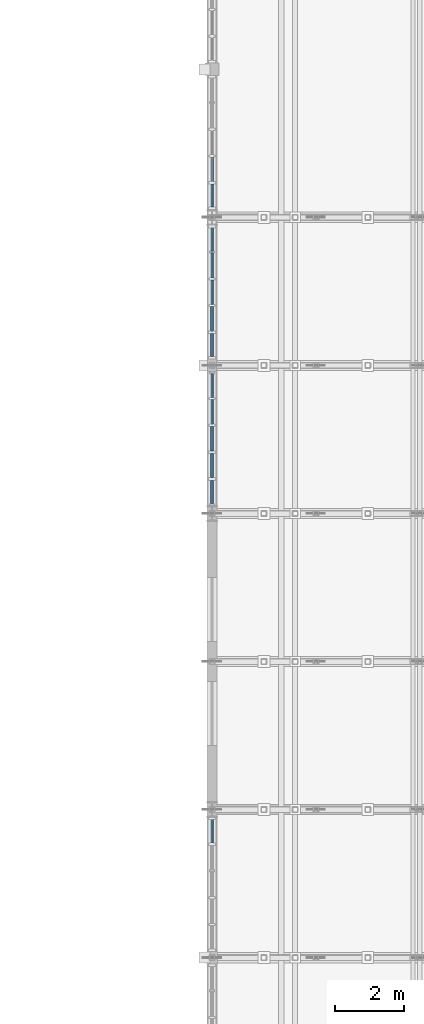
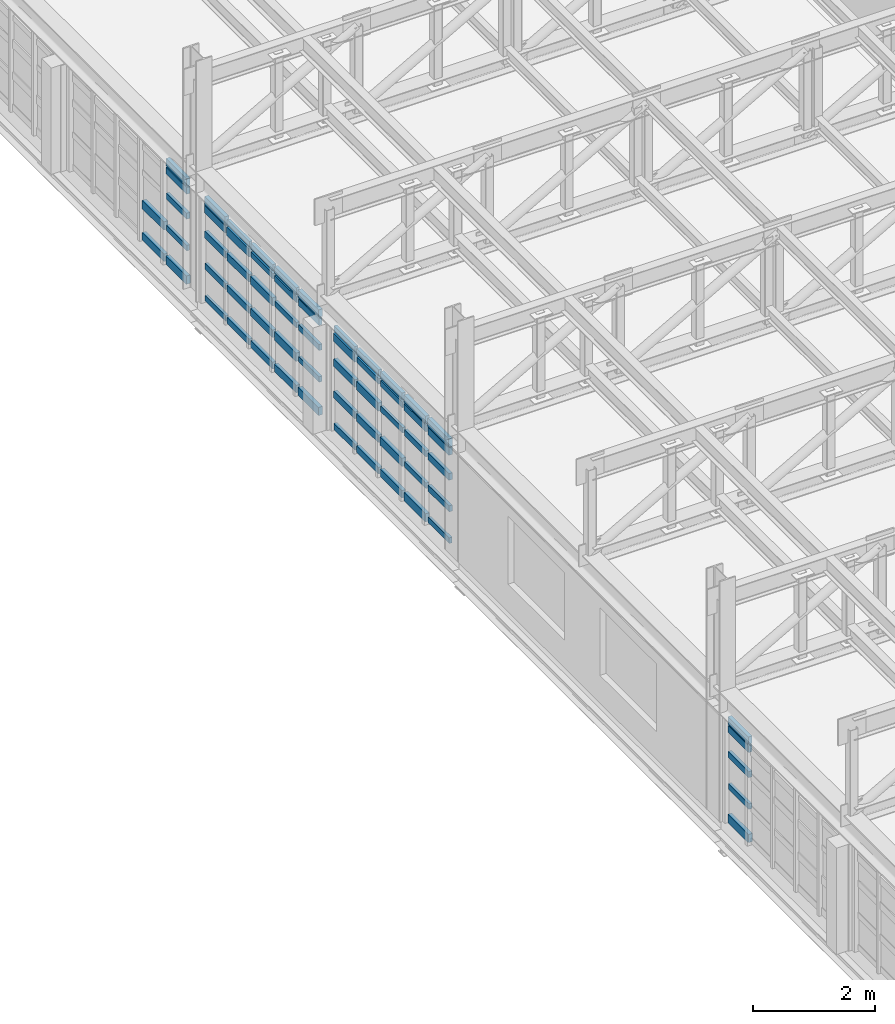
# One storey, part 77 of 128: 62 members, 4 elements without a shape of their own.
"""IFC4 building model written with IfcOpenShell, lengths in metres."""

from ifc_helpers import new_model, si_unit, direction, frame, origin, origin_2d, place, context, subcontext, project, spatial, rectangle, extrude, material, material_profile, profile_set, type_object, element, aggregate, save


model = new_model("IFC4")

# Units and contexts
model_context = context("Model", 3, precision=1e-05, world=origin(), true_north=direction((0.0, 1.0)))
body_context = subcontext(model_context, "Body", "Model", "MODEL_VIEW")
ifc_project = project(units=[si_unit("LENGTHUNIT", "METRE"), si_unit("AREAUNIT", "SQUARE_METRE"), si_unit("VOLUMEUNIT", "CUBIC_METRE"), si_unit("PLANEANGLEUNIT", "RADIAN"), si_unit("MASSUNIT", "GRAM", prefix="KILO")], contexts=[model_context])

# Site, building, storey
site_placement = place(None, origin())
site = spatial("IfcSite", under=ifc_project, at=site_placement, CompositionType="ELEMENT")
building_placement = place(site_placement, origin())
building = spatial("IfcBuilding", under=site, at=building_placement, Name="Serraforn Aerial Cableway Station", CompositionType="ELEMENT")
storey_placement = place(building_placement, frame((0.0, 0.0, 9.0)))
storey = spatial("IfcBuildingStorey", under=building, at=storey_placement, Name="L02", CompositionType="ELEMENT", Elevation=9.0)

# Curtain wall, member
ifc_material_1 = material(Name="Anodised bronze unitised curtain wall")
curtain_wall_type_1 = type_object("IfcCurtainWallType", Name="CW-SYS-25", PredefinedType="USERDEFINED", material=ifc_material_1)
curtain_wall_1_placement = place(storey_placement, origin())
curtain_wall_1 = element("IfcCurtainWall", 1, at=curtain_wall_1_placement, inside=storey, type_object=curtain_wall_type_1, Name="Unitised Curtain Wall CW-EG-L02-W3A", ObjectType="UNITISED CURTAIN WALL", PredefinedType="USERDEFINED")
ifc_material_2 = material(Name="Anodised bronze extruded aluminium", Category="aluminium")
ifc_material_profile_1 = material_profile(ifc_material_2, rectangle(XDim=0.054931640625, YDim=0.110107421875, at=origin_2d()), Name="CW TRANSOM 55x110")
ifc_profile_set_1 = profile_set([ifc_material_profile_1], Name="Anodised bronze extruded aluminium")
member_type_1 = type_object("IfcMemberType", Name="CW-TRN-1", PredefinedType="USERDEFINED", material=ifc_profile_set_1)
member_1_placement = place(storey_placement, frame((144.0, 70.958984375, 0.720703125), z_axis=(0.0, -1.0, 0.0), x_axis=(1.0, 0.0, 0.0)))
member_1 = element("IfcMember", 2, at=member_1_placement, type_object=member_type_1, Name="Curtain Wall Transom CW-EG-L02-W3A-T1-2", ObjectType="TRANSOM", PredefinedType="USERDEFINED", context=body_context, shape_type="SweptSolid", body=[
    extrude(rectangle(XDim=0.054931640625, YDim=0.110107421875, at=origin_2d()), origin(), (0.0, 0.0, 1.0), 0.6708984375),
])

# Curtain wall, members
curtain_wall_type_2 = type_object("IfcCurtainWallType", Name="CW-SYS-3", PredefinedType="USERDEFINED", material=ifc_material_1)
curtain_wall_2_placement = place(storey_placement, origin())
curtain_wall_2 = element("IfcCurtainWall", 3, at=curtain_wall_2_placement, inside=storey, type_object=curtain_wall_type_2, Name="Unitised Curtain Wall CW-EG-L02-W5A", ObjectType="UNITISED CURTAIN WALL", PredefinedType="USERDEFINED")
member_2_placement = place(storey_placement, frame((144.0, 88.053955078125, 0.084716796875), z_axis=(0.0, -1.0, 0.0), x_axis=(1.0, 0.0, 0.0)))
member_2 = element("IfcMember", 4, at=member_2_placement, type_object=member_type_1, Name="Curtain Wall Transom CW-EG-L02-W5A-T1-1", ObjectType="TRANSOM", PredefinedType="USERDEFINED", context=body_context, shape_type="SweptSolid", body=[
    extrude(rectangle(XDim=0.054931640625, YDim=0.110107421875, at=origin_2d()), origin(), (0.0, 0.0, 1.0), 0.67578125),
])
member_3_placement = place(storey_placement, frame((144.0, 87.3271484375, 2.03515625), z_axis=(0.0, -1.0, 0.0), x_axis=(1.0, 0.0, 0.0)))
member_3 = element("IfcMember", 5, at=member_3_placement, type_object=member_type_1, Name="Curtain Wall Transom CW-EG-L02-W5A-T2-5", ObjectType="TRANSOM", PredefinedType="USERDEFINED", context=body_context, shape_type="SweptSolid", body=[
    extrude(rectangle(XDim=0.054931640625, YDim=0.110107421875, at=origin_2d()), origin(), (0.0, 0.0, 1.0), 0.720947265625),
])
member_4_placement = place(storey_placement, frame((144.0, 86.55029296875, 1.865478515625), z_axis=(0.0, -1.0, 0.0), x_axis=(1.0, 0.0, 0.0)))
member_4 = element("IfcMember", 6, at=member_4_placement, type_object=member_type_1, Name="Curtain Wall Transom CW-EG-L02-W5A-T3-4", ObjectType="TRANSOM", PredefinedType="USERDEFINED", context=body_context, shape_type="SweptSolid", body=[
    extrude(rectangle(XDim=0.054931640625, YDim=0.110107421875, at=origin_2d()), origin(), (0.0, 0.0, 1.0), 0.716064453125),
])
member_5_placement = place(storey_placement, frame((144.0, 85.773193359375, 1.356689453125), z_axis=(0.0, -1.0, 0.0), x_axis=(1.0, 0.0, 0.0)))
member_5 = element("IfcMember", 7, at=member_5_placement, type_object=member_type_1, Name="Curtain Wall Transom CW-EG-L02-W5A-T4-3", ObjectType="TRANSOM", PredefinedType="USERDEFINED", context=body_context, shape_type="SweptSolid", body=[
    extrude(rectangle(XDim=0.054931640625, YDim=0.110107421875, at=origin_2d()), origin(), (0.0, 0.0, 1.0), 0.710693359375),
])
member_6_placement = place(storey_placement, frame((144.0, 84.996337890625, 0.720703125), z_axis=(0.0, -1.0, 0.0), x_axis=(1.0, 0.0, 0.0)))
member_6 = element("IfcMember", 8, at=member_6_placement, type_object=member_type_1, Name="Curtain Wall Transom CW-EG-L02-W5A-T5-2", ObjectType="TRANSOM", PredefinedType="USERDEFINED", context=body_context, shape_type="SweptSolid", body=[
    extrude(rectangle(XDim=0.054931640625, YDim=0.110107421875, at=origin_2d()), origin(), (0.0, 0.0, 1.0), 0.66845703125),
])

curtain_wall_type_3 = type_object("IfcCurtainWallType", Name="CW-SYS-4", PredefinedType="USERDEFINED", material=ifc_material_1)
curtain_wall_3_placement = place(storey_placement, origin())
curtain_wall_3 = element("IfcCurtainWall", 9, at=curtain_wall_3_placement, inside=storey, type_object=curtain_wall_type_3, Name="Unitised Curtain Wall CW-EG-L02-W5B", ObjectType="UNITISED CURTAIN WALL", PredefinedType="USERDEFINED")
member_7_placement = place(storey_placement, frame((144.0, 83.842041015625, 2.03515625), z_axis=(0.0, -1.0, 0.0), x_axis=(1.0, 0.0, 0.0)))
member_7 = element("IfcMember", 10, at=member_7_placement, type_object=member_type_1, Name="Curtain Wall Transom CW-EG-L02-W5B-T1-5", ObjectType="TRANSOM", PredefinedType="USERDEFINED", context=body_context, shape_type="SweptSolid", body=[
    extrude(rectangle(XDim=0.054931640625, YDim=0.110107421875, at=origin_2d()), origin(), (0.0, 0.0, 1.0), 0.693359375),
])
member_8_placement = place(storey_placement, frame((144.0, 83.092529296875, 1.865478515625), z_axis=(0.0, -1.0, 0.0), x_axis=(1.0, 0.0, 0.0)))
member_8 = element("IfcMember", 11, at=member_8_placement, type_object=member_type_1, Name="Curtain Wall Transom CW-EG-L02-W5B-T2-4", ObjectType="TRANSOM", PredefinedType="USERDEFINED", context=body_context, shape_type="SweptSolid", body=[
    extrude(rectangle(XDim=0.054931640625, YDim=0.110107421875, at=origin_2d()), origin(), (0.0, 0.0, 1.0), 0.7158203125),
])
member_9_placement = place(storey_placement, frame((144.0, 82.315673828125, 1.356689453125), z_axis=(0.0, -1.0, 0.0), x_axis=(1.0, 0.0, 0.0)))
member_9 = element("IfcMember", 12, at=member_9_placement, type_object=member_type_1, Name="Curtain Wall Transom CW-EG-L02-W5B-T3-3", ObjectType="TRANSOM", PredefinedType="USERDEFINED", context=body_context, shape_type="SweptSolid", body=[
    extrude(rectangle(XDim=0.054931640625, YDim=0.110107421875, at=origin_2d()), origin(), (0.0, 0.0, 1.0), 0.7109375),
])
member_10_placement = place(storey_placement, frame((144.0, 81.538818359375, 0.720703125), z_axis=(0.0, -1.0, 0.0), x_axis=(1.0, 0.0, 0.0)))
member_10 = element("IfcMember", 13, at=member_10_placement, type_object=member_type_1, Name="Curtain Wall Transom CW-EG-L02-W5B-T4-2", ObjectType="TRANSOM", PredefinedType="USERDEFINED", context=body_context, shape_type="SweptSolid", body=[
    extrude(rectangle(XDim=0.054931640625, YDim=0.110107421875, at=origin_2d()), origin(), (0.0, 0.0, 1.0), 0.705810546875),
])
member_11_placement = place(storey_placement, frame((144.0, 80.761962890625, 0.084716796875), z_axis=(0.0, -1.0, 0.0), x_axis=(1.0, 0.0, 0.0)))
member_11 = element("IfcMember", 14, at=member_11_placement, type_object=member_type_1, Name="Curtain Wall Transom CW-EG-L02-W5B-T5-1", ObjectType="TRANSOM", PredefinedType="USERDEFINED", context=body_context, shape_type="SweptSolid", body=[
    extrude(rectangle(XDim=0.054931640625, YDim=0.110107421875, at=origin_2d()), origin(), (0.0, 0.0, 1.0), 0.68603515625),
])

# Curtain wall, member
curtain_wall_type_4 = type_object("IfcCurtainWallType", Name="CW-SYS-8", PredefinedType="USERDEFINED", material=ifc_material_1)
curtain_wall_4_placement = place(storey_placement, origin())
curtain_wall_4 = element("IfcCurtainWall", 15, at=curtain_wall_4_placement, inside=storey, type_object=curtain_wall_type_4, Name="Unitised Curtain Wall CW-EG-L02-W6B", ObjectType="UNITISED CURTAIN WALL", PredefinedType="USERDEFINED")
member_12_placement = place(storey_placement, frame((144.0, 89.314453125, 0.720703125), z_axis=(0.0, -1.0, 0.0), x_axis=(1.0, 0.0, 0.0)))
member_12 = element("IfcMember", 16, at=member_12_placement, type_object=member_type_1, Name="Curtain Wall Transom CW-EG-L02-W6B-T5-2", ObjectType="TRANSOM", PredefinedType="USERDEFINED", context=body_context, shape_type="SweptSolid", body=[
    extrude(rectangle(XDim=0.054931640625, YDim=0.110107421875, at=origin_2d()), origin(), (0.0, 0.0, 1.0), 0.66845703125),
])

# Member
ifc_material_profile_2 = material_profile(ifc_material_2, rectangle(XDim=0.06005859375, YDim=0.1201171875, at=origin_2d()), Name="CW TRANSOM 60x120")
ifc_profile_set_2 = profile_set([ifc_material_profile_2], Name="Anodised bronze extruded aluminium")
member_type_2 = type_object("IfcMemberType", Name="CW-TRN-2", PredefinedType="USERDEFINED", material=ifc_profile_set_2)
member_13_placement = place(storey_placement, frame((144.0, 70.958984375, 1.356689453125), z_axis=(0.0, -1.0, 0.0), x_axis=(1.0, 0.0, 0.0)))
member_13 = element("IfcMember", 17, at=member_13_placement, type_object=member_type_2, Name="Curtain Wall Transom CW-EG-L02-W3A-T1-3", ObjectType="TRANSOM", PredefinedType="USERDEFINED", context=body_context, shape_type="SweptSolid", body=[
    extrude(rectangle(XDim=0.06005859375, YDim=0.1201171875, at=origin_2d()), origin(), (0.0, 0.0, 1.0), 0.6708984375),
])

member_14_placement = place(storey_placement, frame((144.0, 88.053955078125, 0.720703125), z_axis=(0.0, -1.0, 0.0), x_axis=(1.0, 0.0, 0.0)))
member_14 = element("IfcMember", 18, at=member_14_placement, type_object=member_type_2, Name="Curtain Wall Transom CW-EG-L02-W5A-T1-2", ObjectType="TRANSOM", PredefinedType="USERDEFINED", context=body_context, shape_type="SweptSolid", body=[
    extrude(rectangle(XDim=0.06005859375, YDim=0.1201171875, at=origin_2d()), origin(), (0.0, 0.0, 1.0), 0.67578125),
])

member_15_placement = place(storey_placement, frame((144.0, 87.3271484375, 0.084716796875), z_axis=(0.0, -1.0, 0.0), x_axis=(1.0, 0.0, 0.0)))
member_15 = element("IfcMember", 19, at=member_15_placement, type_object=member_type_2, Name="Curtain Wall Transom CW-EG-L02-W5A-T2-1", ObjectType="TRANSOM", PredefinedType="USERDEFINED", context=body_context, shape_type="SweptSolid", body=[
    extrude(rectangle(XDim=0.06005859375, YDim=0.1201171875, at=origin_2d()), origin(), (0.0, 0.0, 1.0), 0.720947265625),
])

member_16_placement = place(storey_placement, frame((144.0, 86.55029296875, 2.03515625), z_axis=(0.0, -1.0, 0.0), x_axis=(1.0, 0.0, 0.0)))
member_16 = element("IfcMember", 20, at=member_16_placement, type_object=member_type_2, Name="Curtain Wall Transom CW-EG-L02-W5A-T3-5", ObjectType="TRANSOM", PredefinedType="USERDEFINED", context=body_context, shape_type="SweptSolid", body=[
    extrude(rectangle(XDim=0.06005859375, YDim=0.1201171875, at=origin_2d()), origin(), (0.0, 0.0, 1.0), 0.716064453125),
])

member_17_placement = place(storey_placement, frame((144.0, 85.773193359375, 1.865478515625), z_axis=(0.0, -1.0, 0.0), x_axis=(1.0, 0.0, 0.0)))
member_17 = element("IfcMember", 21, at=member_17_placement, type_object=member_type_2, Name="Curtain Wall Transom CW-EG-L02-W5A-T4-4", ObjectType="TRANSOM", PredefinedType="USERDEFINED", context=body_context, shape_type="SweptSolid", body=[
    extrude(rectangle(XDim=0.06005859375, YDim=0.1201171875, at=origin_2d()), origin(), (0.0, 0.0, 1.0), 0.710693359375),
])

member_18_placement = place(storey_placement, frame((144.0, 84.996337890625, 1.356689453125), z_axis=(0.0, -1.0, 0.0), x_axis=(1.0, 0.0, 0.0)))
member_18 = element("IfcMember", 22, at=member_18_placement, type_object=member_type_2, Name="Curtain Wall Transom CW-EG-L02-W5A-T5-3", ObjectType="TRANSOM", PredefinedType="USERDEFINED", context=body_context, shape_type="SweptSolid", body=[
    extrude(rectangle(XDim=0.06005859375, YDim=0.1201171875, at=origin_2d()), origin(), (0.0, 0.0, 1.0), 0.66845703125),
])

member_19_placement = place(storey_placement, frame((144.0, 83.842041015625, 0.084716796875), z_axis=(0.0, -1.0, 0.0), x_axis=(1.0, 0.0, 0.0)))
member_19 = element("IfcMember", 23, at=member_19_placement, type_object=member_type_2, Name="Curtain Wall Transom CW-EG-L02-W5B-T1-1", ObjectType="TRANSOM", PredefinedType="USERDEFINED", context=body_context, shape_type="SweptSolid", body=[
    extrude(rectangle(XDim=0.06005859375, YDim=0.1201171875, at=origin_2d()), origin(), (0.0, 0.0, 1.0), 0.693359375),
])

member_20_placement = place(storey_placement, frame((144.0, 83.092529296875, 2.03515625), z_axis=(0.0, -1.0, 0.0), x_axis=(1.0, 0.0, 0.0)))
member_20 = element("IfcMember", 24, at=member_20_placement, type_object=member_type_2, Name="Curtain Wall Transom CW-EG-L02-W5B-T2-5", ObjectType="TRANSOM", PredefinedType="USERDEFINED", context=body_context, shape_type="SweptSolid", body=[
    extrude(rectangle(XDim=0.06005859375, YDim=0.1201171875, at=origin_2d()), origin(), (0.0, 0.0, 1.0), 0.7158203125),
])

member_21_placement = place(storey_placement, frame((144.0, 82.315673828125, 1.865478515625), z_axis=(0.0, -1.0, 0.0), x_axis=(1.0, 0.0, 0.0)))
member_21 = element("IfcMember", 25, at=member_21_placement, type_object=member_type_2, Name="Curtain Wall Transom CW-EG-L02-W5B-T3-4", ObjectType="TRANSOM", PredefinedType="USERDEFINED", context=body_context, shape_type="SweptSolid", body=[
    extrude(rectangle(XDim=0.06005859375, YDim=0.1201171875, at=origin_2d()), origin(), (0.0, 0.0, 1.0), 0.7109375),
])

member_22_placement = place(storey_placement, frame((144.0, 81.538818359375, 1.356689453125), z_axis=(0.0, -1.0, 0.0), x_axis=(1.0, 0.0, 0.0)))
member_22 = element("IfcMember", 26, at=member_22_placement, type_object=member_type_2, Name="Curtain Wall Transom CW-EG-L02-W5B-T4-3", ObjectType="TRANSOM", PredefinedType="USERDEFINED", context=body_context, shape_type="SweptSolid", body=[
    extrude(rectangle(XDim=0.06005859375, YDim=0.1201171875, at=origin_2d()), origin(), (0.0, 0.0, 1.0), 0.705810546875),
])

member_23_placement = place(storey_placement, frame((144.0, 80.761962890625, 0.720703125), z_axis=(0.0, -1.0, 0.0), x_axis=(1.0, 0.0, 0.0)))
member_23 = element("IfcMember", 27, at=member_23_placement, type_object=member_type_2, Name="Curtain Wall Transom CW-EG-L02-W5B-T5-2", ObjectType="TRANSOM", PredefinedType="USERDEFINED", context=body_context, shape_type="SweptSolid", body=[
    extrude(rectangle(XDim=0.06005859375, YDim=0.1201171875, at=origin_2d()), origin(), (0.0, 0.0, 1.0), 0.68603515625),
])

member_24_placement = place(storey_placement, frame((144.0, 89.314453125, 1.356689453125), z_axis=(0.0, -1.0, 0.0), x_axis=(1.0, 0.0, 0.0)))
member_24 = element("IfcMember", 28, at=member_24_placement, type_object=member_type_2, Name="Curtain Wall Transom CW-EG-L02-W6B-T5-3", ObjectType="TRANSOM", PredefinedType="USERDEFINED", context=body_context, shape_type="SweptSolid", body=[
    extrude(rectangle(XDim=0.06005859375, YDim=0.1201171875, at=origin_2d()), origin(), (0.0, 0.0, 1.0), 0.66845703125),
])

ifc_material_profile_3 = material_profile(ifc_material_2, rectangle(XDim=0.06494140625, YDim=0.135009765625, at=origin_2d()), Name="CW TRANSOM 65x135")
ifc_profile_set_3 = profile_set([ifc_material_profile_3], Name="Anodised bronze extruded aluminium")
member_type_3 = type_object("IfcMemberType", Name="CW-TRN-3", PredefinedType="USERDEFINED", material=ifc_profile_set_3)
member_25_placement = place(storey_placement, frame((144.0, 70.958984375, 1.865478515625), z_axis=(0.0, -1.0, 0.0), x_axis=(1.0, 0.0, 0.0)))
member_25 = element("IfcMember", 29, at=member_25_placement, type_object=member_type_3, Name="Curtain Wall Transom CW-EG-L02-W3A-T1-4", ObjectType="TRANSOM", PredefinedType="USERDEFINED", context=body_context, shape_type="SweptSolid", body=[
    extrude(rectangle(XDim=0.06494140625, YDim=0.135009765625, at=origin_2d()), origin(), (0.0, 0.0, 1.0), 0.6708984375),
])

member_26_placement = place(storey_placement, frame((144.0, 88.053955078125, 1.356689453125), z_axis=(0.0, -1.0, 0.0), x_axis=(1.0, 0.0, 0.0)))
member_26 = element("IfcMember", 30, at=member_26_placement, type_object=member_type_3, Name="Curtain Wall Transom CW-EG-L02-W5A-T1-3", ObjectType="TRANSOM", PredefinedType="USERDEFINED", context=body_context, shape_type="SweptSolid", body=[
    extrude(rectangle(XDim=0.06494140625, YDim=0.135009765625, at=origin_2d()), origin(), (0.0, 0.0, 1.0), 0.67578125),
])

member_27_placement = place(storey_placement, frame((144.0, 87.3271484375, 0.720703125), z_axis=(0.0, -1.0, 0.0), x_axis=(1.0, 0.0, 0.0)))
member_27 = element("IfcMember", 31, at=member_27_placement, type_object=member_type_3, Name="Curtain Wall Transom CW-EG-L02-W5A-T2-2", ObjectType="TRANSOM", PredefinedType="USERDEFINED", context=body_context, shape_type="SweptSolid", body=[
    extrude(rectangle(XDim=0.06494140625, YDim=0.135009765625, at=origin_2d()), origin(), (0.0, 0.0, 1.0), 0.720947265625),
])

member_28_placement = place(storey_placement, frame((144.0, 86.55029296875, 0.084716796875), z_axis=(0.0, -1.0, 0.0), x_axis=(1.0, 0.0, 0.0)))
member_28 = element("IfcMember", 32, at=member_28_placement, type_object=member_type_3, Name="Curtain Wall Transom CW-EG-L02-W5A-T3-1", ObjectType="TRANSOM", PredefinedType="USERDEFINED", context=body_context, shape_type="SweptSolid", body=[
    extrude(rectangle(XDim=0.06494140625, YDim=0.135009765625, at=origin_2d()), origin(), (0.0, 0.0, 1.0), 0.716064453125),
])

member_29_placement = place(storey_placement, frame((144.0, 85.773193359375, 2.03515625), z_axis=(0.0, -1.0, 0.0), x_axis=(1.0, 0.0, 0.0)))
member_29 = element("IfcMember", 33, at=member_29_placement, type_object=member_type_3, Name="Curtain Wall Transom CW-EG-L02-W5A-T4-5", ObjectType="TRANSOM", PredefinedType="USERDEFINED", context=body_context, shape_type="SweptSolid", body=[
    extrude(rectangle(XDim=0.06494140625, YDim=0.135009765625, at=origin_2d()), origin(), (0.0, 0.0, 1.0), 0.710693359375),
])

member_30_placement = place(storey_placement, frame((144.0, 84.996337890625, 1.865478515625), z_axis=(0.0, -1.0, 0.0), x_axis=(1.0, 0.0, 0.0)))
member_30 = element("IfcMember", 34, at=member_30_placement, type_object=member_type_3, Name="Curtain Wall Transom CW-EG-L02-W5A-T5-4", ObjectType="TRANSOM", PredefinedType="USERDEFINED", context=body_context, shape_type="SweptSolid", body=[
    extrude(rectangle(XDim=0.06494140625, YDim=0.135009765625, at=origin_2d()), origin(), (0.0, 0.0, 1.0), 0.66845703125),
])

member_31_placement = place(storey_placement, frame((144.0, 83.842041015625, 0.720703125), z_axis=(0.0, -1.0, 0.0), x_axis=(1.0, 0.0, 0.0)))
member_31 = element("IfcMember", 35, at=member_31_placement, type_object=member_type_3, Name="Curtain Wall Transom CW-EG-L02-W5B-T1-2", ObjectType="TRANSOM", PredefinedType="USERDEFINED", context=body_context, shape_type="SweptSolid", body=[
    extrude(rectangle(XDim=0.06494140625, YDim=0.135009765625, at=origin_2d()), origin(), (0.0, 0.0, 1.0), 0.693359375),
])

member_32_placement = place(storey_placement, frame((144.0, 83.092529296875, 0.084716796875), z_axis=(0.0, -1.0, 0.0), x_axis=(1.0, 0.0, 0.0)))
member_32 = element("IfcMember", 36, at=member_32_placement, type_object=member_type_3, Name="Curtain Wall Transom CW-EG-L02-W5B-T2-1", ObjectType="TRANSOM", PredefinedType="USERDEFINED", context=body_context, shape_type="SweptSolid", body=[
    extrude(rectangle(XDim=0.06494140625, YDim=0.135009765625, at=origin_2d()), origin(), (0.0, 0.0, 1.0), 0.7158203125),
])

member_33_placement = place(storey_placement, frame((144.0, 82.315673828125, 2.03515625), z_axis=(0.0, -1.0, 0.0), x_axis=(1.0, 0.0, 0.0)))
member_33 = element("IfcMember", 37, at=member_33_placement, type_object=member_type_3, Name="Curtain Wall Transom CW-EG-L02-W5B-T3-5", ObjectType="TRANSOM", PredefinedType="USERDEFINED", context=body_context, shape_type="SweptSolid", body=[
    extrude(rectangle(XDim=0.06494140625, YDim=0.135009765625, at=origin_2d()), origin(), (0.0, 0.0, 1.0), 0.7109375),
])

member_34_placement = place(storey_placement, frame((144.0, 81.538818359375, 1.865478515625), z_axis=(0.0, -1.0, 0.0), x_axis=(1.0, 0.0, 0.0)))
member_34 = element("IfcMember", 38, at=member_34_placement, type_object=member_type_3, Name="Curtain Wall Transom CW-EG-L02-W5B-T4-4", ObjectType="TRANSOM", PredefinedType="USERDEFINED", context=body_context, shape_type="SweptSolid", body=[
    extrude(rectangle(XDim=0.06494140625, YDim=0.135009765625, at=origin_2d()), origin(), (0.0, 0.0, 1.0), 0.705810546875),
])

member_35_placement = place(storey_placement, frame((144.0, 80.761962890625, 1.356689453125), z_axis=(0.0, -1.0, 0.0), x_axis=(1.0, 0.0, 0.0)))
member_35 = element("IfcMember", 39, at=member_35_placement, type_object=member_type_3, Name="Curtain Wall Transom CW-EG-L02-W5B-T5-3", ObjectType="TRANSOM", PredefinedType="USERDEFINED", context=body_context, shape_type="SweptSolid", body=[
    extrude(rectangle(XDim=0.06494140625, YDim=0.135009765625, at=origin_2d()), origin(), (0.0, 0.0, 1.0), 0.68603515625),
])

member_36_placement = place(storey_placement, frame((144.0, 89.314453125, 1.865478515625), z_axis=(0.0, -1.0, 0.0), x_axis=(1.0, 0.0, 0.0)))
member_36 = element("IfcMember", 40, at=member_36_placement, type_object=member_type_3, Name="Curtain Wall Transom CW-EG-L02-W6B-T5-4", ObjectType="TRANSOM", PredefinedType="USERDEFINED", context=body_context, shape_type="SweptSolid", body=[
    extrude(rectangle(XDim=0.06494140625, YDim=0.135009765625, at=origin_2d()), origin(), (0.0, 0.0, 1.0), 0.66845703125),
])

ifc_material_profile_4 = material_profile(ifc_material_2, rectangle(XDim=0.070068359375, YDim=0.14990234375, at=origin_2d()), Name="CW TRANSOM 70x150")
ifc_profile_set_4 = profile_set([ifc_material_profile_4], Name="Anodised bronze extruded aluminium")
member_type_4 = type_object("IfcMemberType", Name="CW-TRN-4", PredefinedType="USERDEFINED", material=ifc_profile_set_4)
member_37_placement = place(storey_placement, frame((144.0, 70.958984375, 2.03515625), z_axis=(0.0, -1.0, 0.0), x_axis=(1.0, 0.0, 0.0)))
member_37 = element("IfcMember", 41, at=member_37_placement, type_object=member_type_4, Name="Curtain Wall Transom CW-EG-L02-W3A-T1-5", ObjectType="TRANSOM", PredefinedType="USERDEFINED", context=body_context, shape_type="SweptSolid", body=[
    extrude(rectangle(XDim=0.070068359375, YDim=0.14990234375, at=origin_2d()), origin(), (0.0, 0.0, 1.0), 0.6708984375),
])

member_38_placement = place(storey_placement, frame((144.0, 88.053955078125, 1.865478515625), z_axis=(0.0, -1.0, 0.0), x_axis=(1.0, 0.0, 0.0)))
member_38 = element("IfcMember", 42, at=member_38_placement, type_object=member_type_4, Name="Curtain Wall Transom CW-EG-L02-W5A-T1-4", ObjectType="TRANSOM", PredefinedType="USERDEFINED", context=body_context, shape_type="SweptSolid", body=[
    extrude(rectangle(XDim=0.070068359375, YDim=0.14990234375, at=origin_2d()), origin(), (0.0, 0.0, 1.0), 0.67578125),
])

member_39_placement = place(storey_placement, frame((144.0, 87.3271484375, 1.356689453125), z_axis=(0.0, -1.0, 0.0), x_axis=(1.0, 0.0, 0.0)))
member_39 = element("IfcMember", 43, at=member_39_placement, type_object=member_type_4, Name="Curtain Wall Transom CW-EG-L02-W5A-T2-3", ObjectType="TRANSOM", PredefinedType="USERDEFINED", context=body_context, shape_type="SweptSolid", body=[
    extrude(rectangle(XDim=0.070068359375, YDim=0.14990234375, at=origin_2d()), origin(), (0.0, 0.0, 1.0), 0.720947265625),
])

member_40_placement = place(storey_placement, frame((144.0, 86.55029296875, 0.720703125), z_axis=(0.0, -1.0, 0.0), x_axis=(1.0, 0.0, 0.0)))
member_40 = element("IfcMember", 44, at=member_40_placement, type_object=member_type_4, Name="Curtain Wall Transom CW-EG-L02-W5A-T3-2", ObjectType="TRANSOM", PredefinedType="USERDEFINED", context=body_context, shape_type="SweptSolid", body=[
    extrude(rectangle(XDim=0.070068359375, YDim=0.14990234375, at=origin_2d()), origin(), (0.0, 0.0, 1.0), 0.716064453125),
])

member_41_placement = place(storey_placement, frame((144.0, 85.773193359375, 0.084716796875), z_axis=(0.0, -1.0, 0.0), x_axis=(1.0, 0.0, 0.0)))
member_41 = element("IfcMember", 45, at=member_41_placement, type_object=member_type_4, Name="Curtain Wall Transom CW-EG-L02-W5A-T4-1", ObjectType="TRANSOM", PredefinedType="USERDEFINED", context=body_context, shape_type="SweptSolid", body=[
    extrude(rectangle(XDim=0.070068359375, YDim=0.14990234375, at=origin_2d()), origin(), (0.0, 0.0, 1.0), 0.710693359375),
])

member_42_placement = place(storey_placement, frame((144.0, 84.996337890625, 2.03515625), z_axis=(0.0, -1.0, 0.0), x_axis=(1.0, 0.0, 0.0)))
member_42 = element("IfcMember", 46, at=member_42_placement, type_object=member_type_4, Name="Curtain Wall Transom CW-EG-L02-W5A-T5-5", ObjectType="TRANSOM", PredefinedType="USERDEFINED", context=body_context, shape_type="SweptSolid", body=[
    extrude(rectangle(XDim=0.070068359375, YDim=0.14990234375, at=origin_2d()), origin(), (0.0, 0.0, 1.0), 0.66845703125),
])

member_43_placement = place(storey_placement, frame((144.0, 83.842041015625, 1.356689453125), z_axis=(0.0, -1.0, 0.0), x_axis=(1.0, 0.0, 0.0)))
member_43 = element("IfcMember", 47, at=member_43_placement, type_object=member_type_4, Name="Curtain Wall Transom CW-EG-L02-W5B-T1-3", ObjectType="TRANSOM", PredefinedType="USERDEFINED", context=body_context, shape_type="SweptSolid", body=[
    extrude(rectangle(XDim=0.070068359375, YDim=0.14990234375, at=origin_2d()), origin(), (0.0, 0.0, 1.0), 0.693359375),
])

member_44_placement = place(storey_placement, frame((144.0, 83.092529296875, 0.720703125), z_axis=(0.0, -1.0, 0.0), x_axis=(1.0, 0.0, 0.0)))
member_44 = element("IfcMember", 48, at=member_44_placement, type_object=member_type_4, Name="Curtain Wall Transom CW-EG-L02-W5B-T2-2", ObjectType="TRANSOM", PredefinedType="USERDEFINED", context=body_context, shape_type="SweptSolid", body=[
    extrude(rectangle(XDim=0.070068359375, YDim=0.14990234375, at=origin_2d()), origin(), (0.0, 0.0, 1.0), 0.7158203125),
])

member_45_placement = place(storey_placement, frame((144.0, 82.315673828125, 0.084716796875), z_axis=(0.0, -1.0, 0.0), x_axis=(1.0, 0.0, 0.0)))
member_45 = element("IfcMember", 49, at=member_45_placement, type_object=member_type_4, Name="Curtain Wall Transom CW-EG-L02-W5B-T3-1", ObjectType="TRANSOM", PredefinedType="USERDEFINED", context=body_context, shape_type="SweptSolid", body=[
    extrude(rectangle(XDim=0.070068359375, YDim=0.14990234375, at=origin_2d()), origin(), (0.0, 0.0, 1.0), 0.7109375),
])

member_46_placement = place(storey_placement, frame((144.0, 81.538818359375, 2.03515625), z_axis=(0.0, -1.0, 0.0), x_axis=(1.0, 0.0, 0.0)))
member_46 = element("IfcMember", 50, at=member_46_placement, type_object=member_type_4, Name="Curtain Wall Transom CW-EG-L02-W5B-T4-5", ObjectType="TRANSOM", PredefinedType="USERDEFINED", context=body_context, shape_type="SweptSolid", body=[
    extrude(rectangle(XDim=0.070068359375, YDim=0.14990234375, at=origin_2d()), origin(), (0.0, 0.0, 1.0), 0.705810546875),
])

member_47_placement = place(storey_placement, frame((144.0, 80.761962890625, 1.865478515625), z_axis=(0.0, -1.0, 0.0), x_axis=(1.0, 0.0, 0.0)))
member_47 = element("IfcMember", 51, at=member_47_placement, type_object=member_type_4, Name="Curtain Wall Transom CW-EG-L02-W5B-T5-4", ObjectType="TRANSOM", PredefinedType="USERDEFINED", context=body_context, shape_type="SweptSolid", body=[
    extrude(rectangle(XDim=0.070068359375, YDim=0.14990234375, at=origin_2d()), origin(), (0.0, 0.0, 1.0), 0.68603515625),
])

member_48_placement = place(storey_placement, frame((144.0, 90.09130859375, 0.084716796875), z_axis=(0.0, -1.0, 0.0), x_axis=(1.0, 0.0, 0.0)))
member_48 = element("IfcMember", 52, at=member_48_placement, type_object=member_type_4, Name="Curtain Wall Transom CW-EG-L02-W6B-T4-1", ObjectType="TRANSOM", PredefinedType="USERDEFINED", context=body_context, shape_type="SweptSolid", body=[
    extrude(rectangle(XDim=0.070068359375, YDim=0.14990234375, at=origin_2d()), origin(), (0.0, 0.0, 1.0), 0.7109375),
])

member_49_placement = place(storey_placement, frame((144.0, 89.314453125, 2.03515625), z_axis=(0.0, -1.0, 0.0), x_axis=(1.0, 0.0, 0.0)))
member_49 = element("IfcMember", 53, at=member_49_placement, type_object=member_type_4, Name="Curtain Wall Transom CW-EG-L02-W6B-T5-5", ObjectType="TRANSOM", PredefinedType="USERDEFINED", context=body_context, shape_type="SweptSolid", body=[
    extrude(rectangle(XDim=0.070068359375, YDim=0.14990234375, at=origin_2d()), origin(), (0.0, 0.0, 1.0), 0.66845703125),
])

ifc_material_profile_5 = material_profile(ifc_material_2, rectangle(XDim=0.074951171875, YDim=0.1650390625, at=origin_2d()), Name="CW TRANSOM 75x165")
ifc_profile_set_5 = profile_set([ifc_material_profile_5], Name="Anodised bronze extruded aluminium")
member_type_5 = type_object("IfcMemberType", Name="CW-TRN-5", PredefinedType="USERDEFINED", material=ifc_profile_set_5)
member_50_placement = place(storey_placement, frame((144.0, 70.958984375, 0.084716796875), z_axis=(0.0, -1.0, 0.0), x_axis=(1.0, 0.0, 0.0)))
member_50 = element("IfcMember", 54, at=member_50_placement, type_object=member_type_5, Name="Curtain Wall Transom CW-EG-L02-W3A-T1-1", ObjectType="TRANSOM", PredefinedType="USERDEFINED", context=body_context, shape_type="SweptSolid", body=[
    extrude(rectangle(XDim=0.074951171875, YDim=0.1650390625, at=origin_2d()), origin(), (0.0, 0.0, 1.0), 0.6708984375),
])

aggregate(curtain_wall_1, [member_50, member_1, member_13, member_25, member_37])

member_51_placement = place(storey_placement, frame((144.0, 88.053955078125, 2.03515625), z_axis=(0.0, -1.0, 0.0), x_axis=(1.0, 0.0, 0.0)))
member_51 = element("IfcMember", 55, at=member_51_placement, type_object=member_type_5, Name="Curtain Wall Transom CW-EG-L02-W5A-T1-5", ObjectType="TRANSOM", PredefinedType="USERDEFINED", context=body_context, shape_type="SweptSolid", body=[
    extrude(rectangle(XDim=0.074951171875, YDim=0.1650390625, at=origin_2d()), origin(), (0.0, 0.0, 1.0), 0.67578125),
])

member_52_placement = place(storey_placement, frame((144.0, 87.3271484375, 1.865478515625), z_axis=(0.0, -1.0, 0.0), x_axis=(1.0, 0.0, 0.0)))
member_52 = element("IfcMember", 56, at=member_52_placement, type_object=member_type_5, Name="Curtain Wall Transom CW-EG-L02-W5A-T2-4", ObjectType="TRANSOM", PredefinedType="USERDEFINED", context=body_context, shape_type="SweptSolid", body=[
    extrude(rectangle(XDim=0.074951171875, YDim=0.1650390625, at=origin_2d()), origin(), (0.0, 0.0, 1.0), 0.720947265625),
])

member_53_placement = place(storey_placement, frame((144.0, 86.55029296875, 1.356689453125), z_axis=(0.0, -1.0, 0.0), x_axis=(1.0, 0.0, 0.0)))
member_53 = element("IfcMember", 57, at=member_53_placement, type_object=member_type_5, Name="Curtain Wall Transom CW-EG-L02-W5A-T3-3", ObjectType="TRANSOM", PredefinedType="USERDEFINED", context=body_context, shape_type="SweptSolid", body=[
    extrude(rectangle(XDim=0.074951171875, YDim=0.1650390625, at=origin_2d()), origin(), (0.0, 0.0, 1.0), 0.716064453125),
])

member_54_placement = place(storey_placement, frame((144.0, 85.773193359375, 0.720703125), z_axis=(0.0, -1.0, 0.0), x_axis=(1.0, 0.0, 0.0)))
member_54 = element("IfcMember", 58, at=member_54_placement, type_object=member_type_5, Name="Curtain Wall Transom CW-EG-L02-W5A-T4-2", ObjectType="TRANSOM", PredefinedType="USERDEFINED", context=body_context, shape_type="SweptSolid", body=[
    extrude(rectangle(XDim=0.074951171875, YDim=0.1650390625, at=origin_2d()), origin(), (0.0, 0.0, 1.0), 0.710693359375),
])

member_55_placement = place(storey_placement, frame((144.0, 84.996337890625, 0.084716796875), z_axis=(0.0, -1.0, 0.0), x_axis=(1.0, 0.0, 0.0)))
member_55 = element("IfcMember", 59, at=member_55_placement, type_object=member_type_5, Name="Curtain Wall Transom CW-EG-L02-W5A-T5-1", ObjectType="TRANSOM", PredefinedType="USERDEFINED", context=body_context, shape_type="SweptSolid", body=[
    extrude(rectangle(XDim=0.074951171875, YDim=0.1650390625, at=origin_2d()), origin(), (0.0, 0.0, 1.0), 0.66845703125),
])

aggregate(curtain_wall_2, [member_2, member_14, member_26, member_38, member_51, member_15, member_27, member_39, member_52, member_3, member_28, member_40, member_53, member_4, member_16, member_41, member_54, member_5, member_17, member_29, member_55, member_6, member_18, member_30, member_42])

member_56_placement = place(storey_placement, frame((144.0, 83.842041015625, 1.865478515625), z_axis=(0.0, -1.0, 0.0), x_axis=(1.0, 0.0, 0.0)))
member_56 = element("IfcMember", 60, at=member_56_placement, type_object=member_type_5, Name="Curtain Wall Transom CW-EG-L02-W5B-T1-4", ObjectType="TRANSOM", PredefinedType="USERDEFINED", context=body_context, shape_type="SweptSolid", body=[
    extrude(rectangle(XDim=0.074951171875, YDim=0.1650390625, at=origin_2d()), origin(), (0.0, 0.0, 1.0), 0.693359375),
])

member_57_placement = place(storey_placement, frame((144.0, 83.092529296875, 1.356689453125), z_axis=(0.0, -1.0, 0.0), x_axis=(1.0, 0.0, 0.0)))
member_57 = element("IfcMember", 61, at=member_57_placement, type_object=member_type_5, Name="Curtain Wall Transom CW-EG-L02-W5B-T2-3", ObjectType="TRANSOM", PredefinedType="USERDEFINED", context=body_context, shape_type="SweptSolid", body=[
    extrude(rectangle(XDim=0.074951171875, YDim=0.1650390625, at=origin_2d()), origin(), (0.0, 0.0, 1.0), 0.7158203125),
])

member_58_placement = place(storey_placement, frame((144.0, 82.315673828125, 0.720703125), z_axis=(0.0, -1.0, 0.0), x_axis=(1.0, 0.0, 0.0)))
member_58 = element("IfcMember", 62, at=member_58_placement, type_object=member_type_5, Name="Curtain Wall Transom CW-EG-L02-W5B-T3-2", ObjectType="TRANSOM", PredefinedType="USERDEFINED", context=body_context, shape_type="SweptSolid", body=[
    extrude(rectangle(XDim=0.074951171875, YDim=0.1650390625, at=origin_2d()), origin(), (0.0, 0.0, 1.0), 0.7109375),
])

member_59_placement = place(storey_placement, frame((144.0, 81.538818359375, 0.084716796875), z_axis=(0.0, -1.0, 0.0), x_axis=(1.0, 0.0, 0.0)))
member_59 = element("IfcMember", 63, at=member_59_placement, type_object=member_type_5, Name="Curtain Wall Transom CW-EG-L02-W5B-T4-1", ObjectType="TRANSOM", PredefinedType="USERDEFINED", context=body_context, shape_type="SweptSolid", body=[
    extrude(rectangle(XDim=0.074951171875, YDim=0.1650390625, at=origin_2d()), origin(), (0.0, 0.0, 1.0), 0.705810546875),
])

member_60_placement = place(storey_placement, frame((144.0, 80.761962890625, 2.03515625), z_axis=(0.0, -1.0, 0.0), x_axis=(1.0, 0.0, 0.0)))
member_60 = element("IfcMember", 64, at=member_60_placement, type_object=member_type_5, Name="Curtain Wall Transom CW-EG-L02-W5B-T5-5", ObjectType="TRANSOM", PredefinedType="USERDEFINED", context=body_context, shape_type="SweptSolid", body=[
    extrude(rectangle(XDim=0.074951171875, YDim=0.1650390625, at=origin_2d()), origin(), (0.0, 0.0, 1.0), 0.68603515625),
])

aggregate(curtain_wall_3, [member_19, member_31, member_43, member_56, member_7, member_32, member_44, member_57, member_8, member_20, member_45, member_58, member_9, member_21, member_33, member_59, member_10, member_22, member_34, member_46, member_11, member_23, member_35, member_47, member_60])

member_61_placement = place(storey_placement, frame((144.0, 90.09130859375, 0.720703125), z_axis=(0.0, -1.0, 0.0), x_axis=(1.0, 0.0, 0.0)))
member_61 = element("IfcMember", 65, at=member_61_placement, type_object=member_type_5, Name="Curtain Wall Transom CW-EG-L02-W6B-T4-2", ObjectType="TRANSOM", PredefinedType="USERDEFINED", context=body_context, shape_type="SweptSolid", body=[
    extrude(rectangle(XDim=0.074951171875, YDim=0.1650390625, at=origin_2d()), origin(), (0.0, 0.0, 1.0), 0.7109375),
])

member_62_placement = place(storey_placement, frame((144.0, 89.314453125, 0.084716796875), z_axis=(0.0, -1.0, 0.0), x_axis=(1.0, 0.0, 0.0)))
member_62 = element("IfcMember", 66, at=member_62_placement, type_object=member_type_5, Name="Curtain Wall Transom CW-EG-L02-W6B-T5-1", ObjectType="TRANSOM", PredefinedType="USERDEFINED", context=body_context, shape_type="SweptSolid", body=[
    extrude(rectangle(XDim=0.074951171875, YDim=0.1650390625, at=origin_2d()), origin(), (0.0, 0.0, 1.0), 0.66845703125),
])

aggregate(curtain_wall_4, [member_48, member_61, member_62, member_12, member_24, member_36, member_49])

save(model, "model.ifc")
